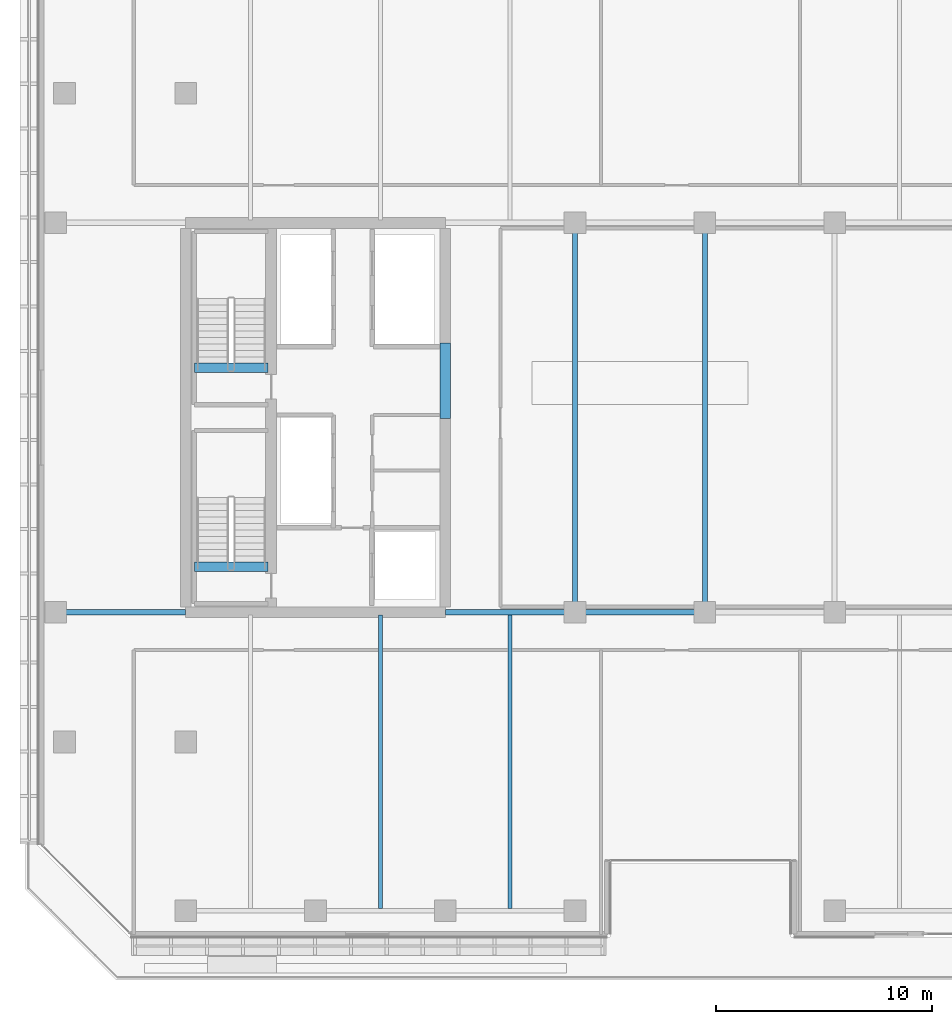
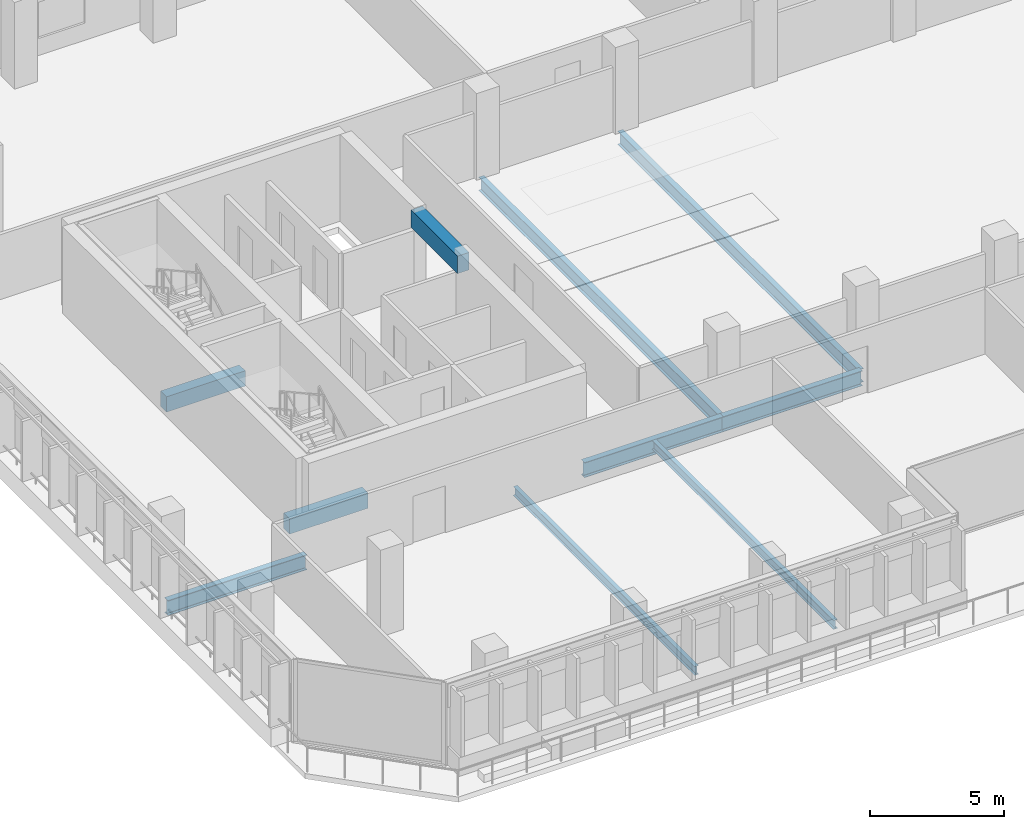
# One storey, part 5 of 38: 10 beams.
"""IFC4 building model written with IfcOpenShell, lengths in metres."""

from ifc_helpers import new_model, si_unit, direction, frame, origin, origin_2d, place, context, subcontext, project, spatial, rectangle, i_section, extrude, material, material_profile, profile_set, type_object, element, save


model = new_model("IFC4")

# Units and contexts
model_context = context("Model", 3, precision=1e-05, world=origin(), true_north=direction((0.0, 1.0)))
body_context = subcontext(model_context, "Body", "Model", "MODEL_VIEW")
ifc_project = project(units=[si_unit("LENGTHUNIT", "METRE"), si_unit("AREAUNIT", "SQUARE_METRE"), si_unit("VOLUMEUNIT", "CUBIC_METRE"), si_unit("PLANEANGLEUNIT", "RADIAN"), si_unit("MASSUNIT", "GRAM", prefix="KILO")], contexts=[model_context])

# Site, building, storey
site_placement = place(None, origin())
site = spatial("IfcSite", under=ifc_project, at=site_placement, CompositionType="ELEMENT")
building_placement = place(site_placement, origin())
building = spatial("IfcBuilding", under=site, at=building_placement, Name="Tanjung Sevakor Pilgrim Tower", CompositionType="ELEMENT")
storey_placement = place(building_placement, frame((0.0, 0.0, 78.2099609375)))
storey = spatial("IfcBuildingStorey", under=building, at=storey_placement, Name="L21", CompositionType="ELEMENT", Elevation=78.2099609375)

# Beams
ifc_material_1 = material(Name="Steel S355J2", Category="steel")
ifc_material_profile_1 = material_profile(ifc_material_1, i_section(OverallWidth=0.25439453125, OverallDepth=0.6875, WebThickness=0.01318359375, FlangeThickness=0.02099609375, FilletRadius=0.01513671875, at=origin_2d()))
ifc_profile_set_1 = profile_set([ifc_material_profile_1], Name="Steel S355J2")
beam_type_1 = type_object("IfcBeamType", Name="BM-B-G2-UB_686x254x152", PredefinedType="BEAM", material=ifc_profile_set_1)
for number, where, z_axis, x_axis, name in (
    (1, (18.0, 24.60009765625, -0.623779296875), (1.0, 0.0, 0.0), (0.0, 1.0, 0.0), "L21 Primary Floor Girder MAIN Y246-01"),
    (2, (36.0, 24.60009765625, -0.623779296875), (1.0, 0.0, 0.0), (0.0, 1.0, 0.0), "L21 Primary Floor Girder MAIN Y246-02"),
    (3, (42.0, 24.60009765625, -0.623779296875), (1.0, 0.0, 0.0), (0.0, 1.0, 0.0), "L21 Primary Floor Girder MAIN Y246-03"),
):
    element("IfcBeam", number, at=place(storey_placement, frame(where, z_axis=z_axis, x_axis=x_axis)), inside=storey, type_object=beam_type_1, Name=name, PredefinedType="BEAM", context=body_context, shape_type="SweptSolid", body=[
        extrude(i_section(OverallWidth=0.25439453125, OverallDepth=0.6875, WebThickness=0.01318359375, FlangeThickness=0.02099609375, FilletRadius=0.01513671875, at=origin_2d()), origin(), (0.0, 0.0, 1.0), 6.0),
    ])
ifc_material_2 = material(Name="Steel S355J2", Category="steel")
ifc_material_profile_2 = material_profile(ifc_material_2, i_section(OverallWidth=0.230224609375, OverallDepth=0.6171875, WebThickness=0.01318359375, FlangeThickness=0.022216796875, FilletRadius=0.0126953125, at=origin_2d()))
ifc_profile_set_2 = profile_set([ifc_material_profile_2], Name="Steel S355J2")
beam_type_2 = type_object("IfcBeamType", Name="BM-B-G3-UB_610x229x140", PredefinedType="BEAM", material=ifc_profile_set_2)
for number, where, z_axis, x_axis, name in (
    (4, (42.0, 24.60009765625, -0.588623046875), (0.0, 1.0, 0.0), (-1.0, 0.0, 0.0), "L21 MAIN Girder 007"),
    (5, (48.0, 24.60009765625, -0.588623046875), (0.0, 1.0, 0.0), (-1.0, 0.0, 0.0), "L21 MAIN Girder 008"),
):
    element("IfcBeam", number, at=place(storey_placement, frame(where, z_axis=z_axis, x_axis=x_axis)), inside=storey, type_object=beam_type_2, Name=name, PredefinedType="BEAM", context=body_context, shape_type="SweptSolid", body=[
        extrude(i_section(OverallWidth=0.230224609375, OverallDepth=0.6171875, WebThickness=0.01318359375, FlangeThickness=0.022216796875, FilletRadius=0.0126953125, at=origin_2d()), origin(), (0.0, 0.0, 1.0), 18.0),
    ])
ifc_material_3 = material(Name="Steel S355J2", Category="steel")
ifc_material_profile_3 = material_profile(ifc_material_3, i_section(OverallWidth=0.1787109375, OverallDepth=0.409423828125, WebThickness=0.0087890625, FlangeThickness=0.014404296875, FilletRadius=0.01025390625, at=origin_2d()))
ifc_profile_set_3 = profile_set([ifc_material_profile_3], Name="Steel S355J2")
beam_type_3 = type_object("IfcBeamType", Name="BM-B-J3-UB_406x178x67", PredefinedType="JOIST", material=ifc_profile_set_3)
for number, where, z_axis, x_axis, name in (
    (6, (33.0, 10.89990234375, -0.484619140625), (0.0, 1.0, 0.0), (-1.0, 0.0, 0.0), "L21 MAIN Joist 003"),
    (7, (39.0, 10.89990234375, -0.484619140625), (0.0, 1.0, 0.0), (-1.0, 0.0, 0.0), "L21 MAIN Joist 005"),
):
    element("IfcBeam", number, at=place(storey_placement, frame(where, z_axis=z_axis, x_axis=x_axis)), inside=storey, type_object=beam_type_3, Name=name, PredefinedType="JOIST", context=body_context, shape_type="SweptSolid", body=[
        extrude(i_section(OverallWidth=0.1787109375, OverallDepth=0.409423828125, WebThickness=0.0087890625, FlangeThickness=0.014404296875, FilletRadius=0.01025390625, at=origin_2d()), origin(), (0.0, 0.0, 1.0), 13.57275390625),
    ])
ifc_material_4 = material(Name="Concrete C60/75", Category="concrete")
ifc_material_profile_4 = material_profile(ifc_material_4, rectangle(XDim=0.5, YDim=0.800048828125, at=origin_2d()))
ifc_profile_set_4 = profile_set([ifc_material_profile_4], Name="Concrete C60/75")
beam_type_4 = type_object("IfcBeamType", Name="BM-B-LN2-RC-BM_500x800", PredefinedType="LINTEL", material=ifc_profile_set_4)
beam_placement = place(storey_placement, frame((36.0, 33.550048828125, 3.340087890625), z_axis=(0.0, 1.0, 0.0), x_axis=(-1.0, 0.0, 0.0)))
element("IfcBeam", 8, at=beam_placement, inside=storey, type_object=beam_type_4, Name="L21 W Core Coupling Lintel", PredefinedType="LINTEL", context=body_context, shape_type="SweptSolid", body=[
    extrude(rectangle(XDim=0.5, YDim=0.800048828125, at=origin_2d()), origin(), (0.0, 0.0, 1.0), 3.5),
])
ifc_material_5 = material(Name="Concrete C60/75", Category="concrete")
ifc_material_profile_5 = material_profile(ifc_material_5, rectangle(XDim=0.449951171875, YDim=0.699951171875, at=origin_2d()))
ifc_profile_set_5 = profile_set([ifc_material_profile_5], Name="Concrete C60/75")
beam_type_5 = type_object("IfcBeamType", Name="BM-B-LN3-RC-BM_450x700", PredefinedType="LINTEL", material=ifc_profile_set_5)
for number, where, z_axis, x_axis, name in (
    (9, (24.39990234375, 26.699951171875, -0.349853515625), (1.0, 0.0, 0.0), (0.0, 1.0, 0.0), "L21 TS-W1 Stair Threshold Beam"),
    (10, (24.39990234375, 35.89990234375, -0.349853515625), (1.0, 0.0, 0.0), (0.0, 1.0, 0.0), "L21 TS-W2 Stair Threshold Beam"),
):
    element("IfcBeam", number, at=place(storey_placement, frame(where, z_axis=z_axis, x_axis=x_axis)), inside=storey, type_object=beam_type_5, Name=name, PredefinedType="LINTEL", context=body_context, shape_type="SweptSolid", body=[
        extrude(rectangle(XDim=0.449951171875, YDim=0.699951171875, at=origin_2d()), origin(), (0.0, 0.0, 1.0), 3.400146484375),
    ])

save(model, "model.ifc")
